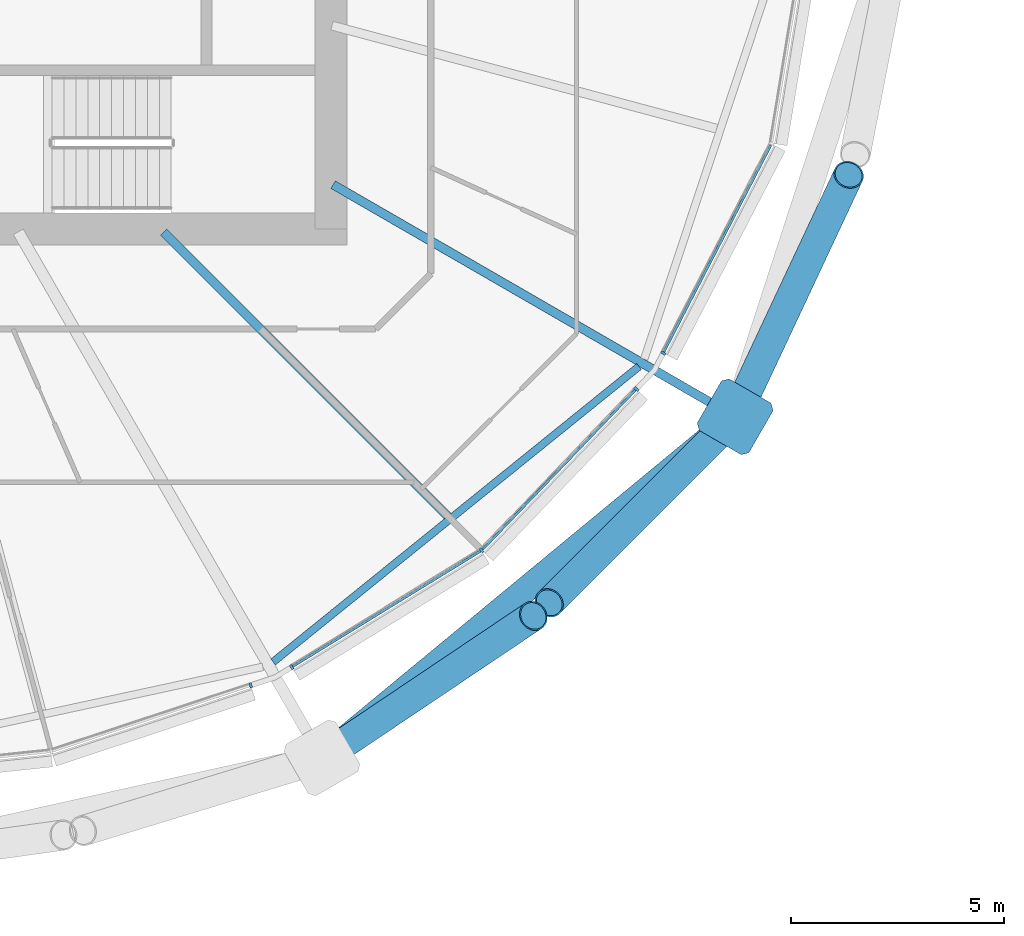
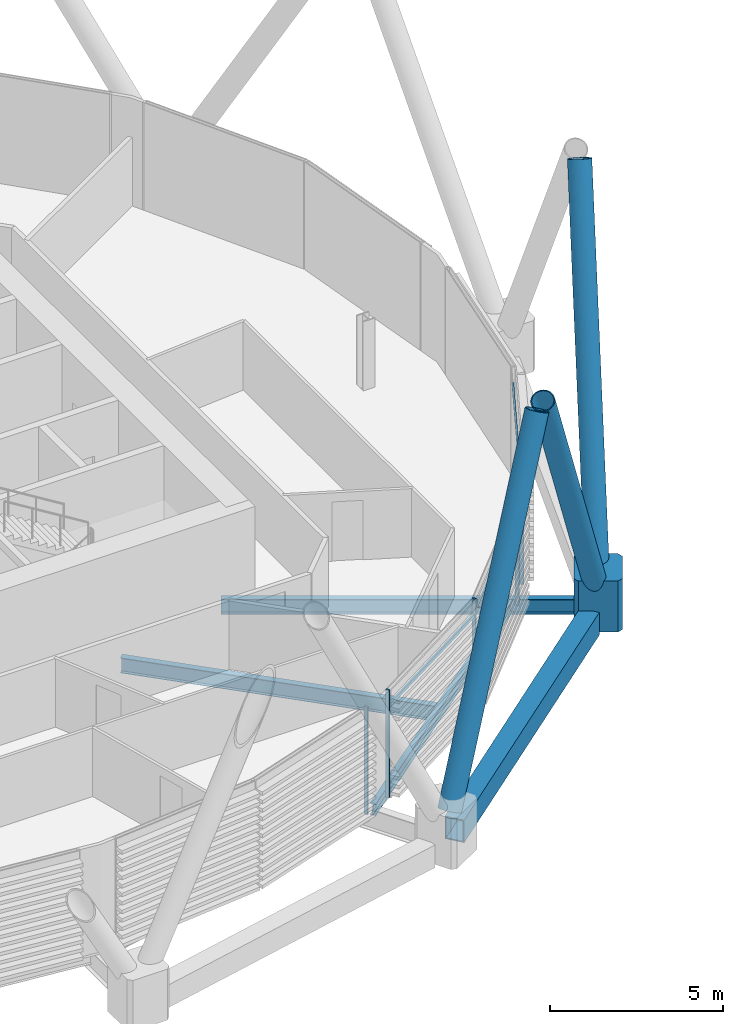
# One storey, part 7 of 38: 12 members, 4 beams, 1 element without a shape of its own.
"""IFC4 building model written with IfcOpenShell, lengths in metres."""

from ifc_helpers import new_model, si_unit, direction, frame, origin, origin_2d, place, context, subcontext, project, spatial, polyline, rectangle, hollow_rectangle, hollow_circle, i_section, outline, extrude, material, material_profile, profile_set, type_object, element, aggregate, save


model = new_model("IFC4")

# Units and contexts
model_context = context("Model", 3, precision=1e-05, world=origin(), true_north=direction((0.0, 1.0)))
body_context = subcontext(model_context, "Body", "Model", "MODEL_VIEW")
ifc_project = project(units=[si_unit("LENGTHUNIT", "METRE"), si_unit("AREAUNIT", "SQUARE_METRE"), si_unit("VOLUMEUNIT", "CUBIC_METRE"), si_unit("PLANEANGLEUNIT", "RADIAN"), si_unit("MASSUNIT", "GRAM", prefix="KILO")], contexts=[model_context])

# Site, building, storey
site_placement = place(None, origin())
site = spatial("IfcSite", under=ifc_project, at=site_placement, CompositionType="ELEMENT")
building_placement = place(site_placement, origin())
building = spatial("IfcBuilding", under=site, at=building_placement, Name="Rimbun Link Towers", CompositionType="ELEMENT")
storey_placement = place(building_placement, frame((0.0, 0.0, 104.39990234375)))
storey = spatial("IfcBuildingStorey", under=building, at=storey_placement, Name="L25", CompositionType="ELEMENT", Elevation=104.39990234375)

# Curtain wall, members
ifc_material_1 = material(Name="Aluminium 6063-T6 and low-iron glass", Category="aluminium")
curtain_wall_type = type_object("IfcCurtainWallType", Name="CW1-Z2 unitised vision wall (zone 2)", PredefinedType="NOTDEFINED", material=ifc_material_1)
curtain_wall_placement = place(storey_placement, origin())
curtain_wall = element("IfcCurtainWall", 1, at=curtain_wall_placement, inside=storey, type_object=curtain_wall_type, Name="CW1 L25 T1", PredefinedType="NOTDEFINED")
ifc_material_2 = material(Name="Aluminium 6063-T6", Category="aluminium")
ifc_material_profile_1 = material_profile(ifc_material_2, rectangle(XDim=0.1201171875, YDim=0.06005859375, at=origin_2d()), Name="MULLION 60X120")
ifc_profile_set_1 = profile_set([ifc_material_profile_1], Name="Aluminium 6063-T6")
member_type_1 = type_object("IfcMemberType", Name="CW1 mullion 60X120", PredefinedType="MULLION", material=ifc_profile_set_1)
member_1_placement = place(storey_placement, frame((-21.632568359375, -18.72314453125, 0.0), z_axis=(0.0, 0.0, 1.0), x_axis=(0.314562268358, -0.949236840481, 0.0)))
member_1 = element("IfcMember", 2, at=member_1_placement, type_object=member_type_1, Name="CW1 mullion", PredefinedType="MULLION", context=body_context, shape_type="SweptSolid", body=[
    extrude(rectangle(XDim=0.1201171875, YDim=0.06005859375, at=origin_2d()), origin(), (0.0, 0.0, 1.0), 3.800048828125),
])
member_2_placement = place(storey_placement, frame((-16.205810546875, -15.55322265625, 0.0), z_axis=(0.0, 0.0, 1.0), x_axis=(0.627670379428, -0.77847921924, 0.0)))
member_2 = element("IfcMember", 3, at=member_2_placement, type_object=member_type_1, Name="CW1 mullion", PredefinedType="MULLION", context=body_context, shape_type="SweptSolid", body=[
    extrude(rectangle(XDim=0.1201171875, YDim=0.06005859375, at=origin_2d()), origin(), (0.0, 0.0, 1.0), 3.800048828125),
])
member_3_placement = place(storey_placement, frame((-20.667236328125, -18.293212890625, 0.0), z_axis=(0.0, 0.0, 1.0), x_axis=(0.523241267863, -0.852184590101, 0.0)))
member_3 = element("IfcMember", 4, at=member_3_placement, type_object=member_type_1, Name="CW1 mullion", PredefinedType="MULLION", context=body_context, shape_type="SweptSolid", body=[
    extrude(rectangle(XDim=0.1201171875, YDim=0.06005859375, at=origin_2d()), origin(), (0.0, 0.0, 1.0), 3.800048828125),
])
member_4_placement = place(storey_placement, frame((-12.57080078125, -11.762451171875, 0.0), z_axis=(0.0, 0.0, 1.0), x_axis=(0.721844661886, -0.692055116379, 0.0)))
member_4 = element("IfcMember", 5, at=member_4_placement, type_object=member_type_1, Name="CW1 mullion", PredefinedType="MULLION", context=body_context, shape_type="SweptSolid", body=[
    extrude(rectangle(XDim=0.1201171875, YDim=0.06005859375, at=origin_2d()), origin(), (0.0, 0.0, 1.0), 3.800048828125),
])
member_5_placement = place(storey_placement, frame((-11.938720703125, -10.915771484375, 0.0), z_axis=(0.0, 0.0, 1.0), x_axis=(0.888149178193, -0.459555260307, 0.0)))
member_5 = element("IfcMember", 6, at=member_5_placement, type_object=member_type_1, Name="CW1 mullion", PredefinedType="MULLION", context=body_context, shape_type="SweptSolid", body=[
    extrude(rectangle(XDim=0.1201171875, YDim=0.06005859375, at=origin_2d()), origin(), (0.0, 0.0, 1.0), 3.800048828125),
])
ifc_material_3 = material(Name="Aluminium 6063-T6", Category="aluminium")
ifc_material_profile_2 = material_profile(ifc_material_3, rectangle(XDim=0.06005859375, YDim=0.1201171875, at=origin_2d()), Name="TRANSOM 60X120")
ifc_profile_set_2 = profile_set([ifc_material_profile_2], Name="Aluminium 6063-T6")
member_type_2 = type_object("IfcMemberType", Name="CW1 transom 60X120", PredefinedType="USERDEFINED", material=ifc_profile_set_2)
member_6_placement = place(storey_placement, frame((-16.238525390625, -15.57177734375, 3.2001953125), z_axis=(-0.852183421185, -0.52324317163, 0.0), x_axis=(0.52324317163, -0.852183421185, 0.0)))
member_6 = element("IfcMember", 7, at=member_6_placement, type_object=member_type_2, Name="CW1 transom", ObjectType="TRANSOM", PredefinedType="USERDEFINED", context=body_context, shape_type="SweptSolid", body=[
    extrude(rectangle(XDim=0.06005859375, YDim=0.1201171875, at=origin_2d()), origin(), (0.0, 0.0, 1.0), 5.16796875),
])
member_7_placement = place(storey_placement, frame((-12.593017578125, -11.78271484375, 3.2001953125), z_axis=(-0.692020932869, -0.721877433137, 0.0), x_axis=(0.721877433137, -0.692020932869, 0.0)))
member_7 = element("IfcMember", 8, at=member_7_placement, type_object=member_type_2, Name="CW1 transom", ObjectType="TRANSOM", PredefinedType="USERDEFINED", context=body_context, shape_type="SweptSolid", body=[
    extrude(rectangle(XDim=0.06005859375, YDim=0.1201171875, at=origin_2d()), origin(), (0.0, 0.0, 1.0), 5.184326171875),
])
member_8_placement = place(storey_placement, frame((-9.412109375, -6.028564453125, 3.2001953125), z_axis=(-0.459574641535, -0.888139149491, 0.0), x_axis=(0.888139149491, -0.459574641535, 0.0)))
member_8 = element("IfcMember", 9, at=member_8_placement, type_object=member_type_2, Name="CW1 transom", ObjectType="TRANSOM", PredefinedType="USERDEFINED", context=body_context, shape_type="SweptSolid", body=[
    extrude(rectangle(XDim=0.06005859375, YDim=0.1201171875, at=origin_2d()), origin(), (0.0, 0.0, 1.0), 5.4716796875),
])
aggregate(curtain_wall, [member_1, member_2, member_3, member_4, member_5, member_6, member_7, member_8])

# Members
ifc_material_4 = material(Name="Steel S460NH", Category="steel")
ifc_material_profile_3 = material_profile(ifc_material_4, hollow_circle(Radius=0.355712890625, WallThickness=0.031982421875, at=origin_2d()), Name="Diagrid diagonal CHS 711x32")
ifc_profile_set_3 = profile_set([ifc_material_profile_3], Name="Steel S460NH")
member_type_3 = type_object("IfcMemberType", Name="Diagrid diagonal CHS 711x32", PredefinedType="BRACE", material=ifc_profile_set_3)
member_9_placement = place(storey_placement, frame((-19.75830078125, -20.29248046875, 0.43896484375), z_axis=(0.397606804141, 0.267155437451, 0.877802256514), x_axis=(-0.557708798998, 0.830036683238, 0.0)))
element("IfcMember", 10, at=member_9_placement, inside=storey, type_object=member_type_3, Name="Diagrid diagonal T1 L25-L28 20b", PredefinedType="BRACE", context=body_context, shape_type="SweptSolid", body=[
    extrude(hollow_circle(Radius=0.355712890625, WallThickness=0.031982421875, at=origin_2d()), origin(), (0.0, 0.0, 1.0), 11.987060546875),
])
member_10_placement = place(storey_placement, frame((-10.423828125, -12.58642578125, 0.435791015625), z_axis=(-0.347179776941, -0.347220177218, 0.871151164274), x_axis=(0.707147919551, -0.707065640428, 0.0)))
element("IfcMember", 11, at=member_10_placement, inside=storey, type_object=member_type_3, Name="Diagrid diagonal T1 L25-L28 22a", PredefinedType="BRACE", context=body_context, shape_type="SweptSolid", body=[
    extrude(hollow_circle(Radius=0.355712890625, WallThickness=0.031982421875, at=origin_2d()), origin(), (0.0, 0.0, 1.0), 12.086181640625),
])
member_11_placement = place(storey_placement, frame((-10.144775390625, -12.18798828125, 0.43408203125), z_axis=(0.210941958424, 0.449866013374, 0.867827206411), x_axis=(-0.90540690245, 0.42454486335, 0.0)))
element("IfcMember", 12, at=member_11_placement, inside=storey, type_object=member_type_3, Name="Diagrid diagonal T1 L25-L28 22b", PredefinedType="BRACE", context=body_context, shape_type="SweptSolid", body=[
    extrude(hollow_circle(Radius=0.355712890625, WallThickness=0.031982421875, at=origin_2d()), origin(), (0.0, 0.0, 1.0), 12.13623046875),
])
ifc_material_5 = material(Name="Cast steel G20Mn5+QT, Rp0.2 300 MPa", Category="steel")
ifc_material_profile_4 = material_profile(ifc_material_5, outline(polyline([(0.699951171875, -0.570068359375), (0.699951171875, 0.570068359375), (0.570068359375, 0.699951171875), (-0.570068359375, 0.699951171875), (-0.699951171875, 0.570068359375), (-0.699951171875, -0.570068359375), (-0.570068359375, -0.699951171875), (0.570068359375, -0.699951171875), (0.699951171875, -0.570068359375)])), Name="NODE 1400x1400")
ifc_profile_set_4 = profile_set([ifc_material_profile_4], Name="Cast steel G20Mn5+QT, Rp0.2 300 MPa")
member_type_4 = type_object("IfcMemberType", Name="Diagrid node cast 1400", PredefinedType="USERDEFINED", material=ifc_profile_set_4)
member_12_placement = place(storey_placement, frame((-10.250244140625, -12.412841796875, -0.89990234375), z_axis=(0.0, 0.0, 1.0), x_axis=(0.866025403784, -0.5, 0.0)))
element("IfcMember", 13, at=member_12_placement, inside=storey, type_object=member_type_4, Name="Diagrid node L25 22", ObjectType="Diagrid node", PredefinedType="USERDEFINED", context=body_context, shape_type="SweptSolid", body=[
    extrude(outline(polyline([(0.699951171875, -0.570068359375), (0.699951171875, 0.570068359375), (0.570068359375, 0.699951171875), (-0.570068359375, 0.699951171875), (-0.699951171875, 0.570068359375), (-0.699951171875, -0.570068359375), (-0.570068359375, -0.699951171875), (0.570068359375, -0.699951171875), (0.699951171875, -0.570068359375)])), origin(), (0.0, 0.0, 1.0), 1.800048828125),
])

# Beams
ifc_material_6 = material(Name="Steel S355J2", Category="steel")
ifc_material_profile_5 = material_profile(ifc_material_6, hollow_rectangle(XDim=0.60009765625, YDim=0.800048828125, WallThickness=0.0400390625, at=origin_2d()), Name="Exoskeleton ring girder BOX 600x800x40")
ifc_profile_set_5 = profile_set([ifc_material_profile_5], Name="Steel S355J2")
beam_type_1 = type_object("IfcBeamType", Name="Exoskeleton ring girder BOX 600x800x40", PredefinedType="BEAM", material=ifc_profile_set_5)
beam_1_placement = place(storey_placement, frame((-19.417236328125, -19.98046875, -0.559814453125), z_axis=(0.771169963545, 0.636629317048, 0.0), x_axis=(-0.636629317048, 0.771169963545, 0.0)))
element("IfcBeam", 14, at=beam_1_placement, inside=storey, type_object=beam_type_1, Name="Exoskeleton ring girder L25 07", PredefinedType="BEAM", context=body_context, shape_type="SweptSolid", body=[
    extrude(hollow_rectangle(XDim=0.60009765625, YDim=0.800048828125, WallThickness=0.0400390625, at=origin_2d()), origin(), (0.0, 0.0, 1.0), 11.187255859375),
])
ifc_material_7 = material(Name="Steel S355J2", Category="steel")
ifc_material_profile_6 = material_profile(ifc_material_7, i_section(OverallWidth=0.177978515625, OverallDepth=0.406494140625, WebThickness=0.0078125, FlangeThickness=0.0126953125, at=origin_2d()), Name="UB 406x178x60")
ifc_profile_set_6 = profile_set([ifc_material_profile_6], Name="Steel S355J2")
beam_type_2 = type_object("IfcBeamType", Name="UB 406x178x60", PredefinedType="BEAM", material=ifc_profile_set_6)
beam_2_placement = place(storey_placement, frame((-21.10400390625, -18.1708984375, -0.363037109375), z_axis=(0.77797774246, 0.628291836838, 0.0), x_axis=(-0.628291836838, 0.77797774246, 0.0)))
element("IfcBeam", 15, at=beam_2_placement, inside=storey, type_object=beam_type_2, Name="Edge beam T1 L25 20-22", PredefinedType="BEAM", context=body_context, shape_type="SweptSolid", body=[
    extrude(i_section(OverallWidth=0.177978515625, OverallDepth=0.406494140625, WebThickness=0.0078125, FlangeThickness=0.0126953125, at=origin_2d()), origin(), (0.0, 0.0, 1.0), 11.046875),
])
ifc_material_8 = material(Name="Steel S355J2", Category="steel")
ifc_material_profile_7 = material_profile(ifc_material_8, i_section(OverallWidth=0.209228515625, OverallDepth=0.533203125, WebThickness=0.010009765625, FlangeThickness=0.015625, at=origin_2d()), Name="UB 533x210x92")
ifc_profile_set_7 = profile_set([ifc_material_profile_7], Name="Steel S355J2")
beam_type_3 = type_object("IfcBeamType", Name="UB 533x210x92", PredefinedType="BEAM", material=ifc_profile_set_7)
beam_3_placement = place(storey_placement, frame((-23.67529296875, -8.07470703125, -0.426513671875), z_axis=(0.707106781187, -0.707106781187, 0.0), x_axis=(0.707106781187, 0.707106781187, 0.0)))
element("IfcBeam", 16, at=beam_3_placement, inside=storey, type_object=beam_type_3, Name="Radial beam T1 L25 21", PredefinedType="BEAM", context=body_context, shape_type="SweptSolid", body=[
    extrude(i_section(OverallWidth=0.209228515625, OverallDepth=0.533203125, WebThickness=0.010009765625, FlangeThickness=0.015625, at=origin_2d()), origin(), (0.0, 0.0, 1.0), 9.433349609375),
])
beam_4_placement = place(storey_placement, frame((-19.69677734375, -6.958984375, -0.426513671875), z_axis=(0.866027380287, -0.499996576582, 0.0), x_axis=(0.499996576582, 0.866027380287, 0.0)))
element("IfcBeam", 17, at=beam_4_placement, inside=storey, type_object=beam_type_3, Name="Radial beam T1 L25 22", PredefinedType="BEAM", context=body_context, shape_type="SweptSolid", body=[
    extrude(i_section(OverallWidth=0.209228515625, OverallDepth=0.533203125, WebThickness=0.010009765625, FlangeThickness=0.015625, at=origin_2d()), origin(), (0.0, 0.0, 1.0), 10.40771484375),
])

save(model, "model.ifc")
